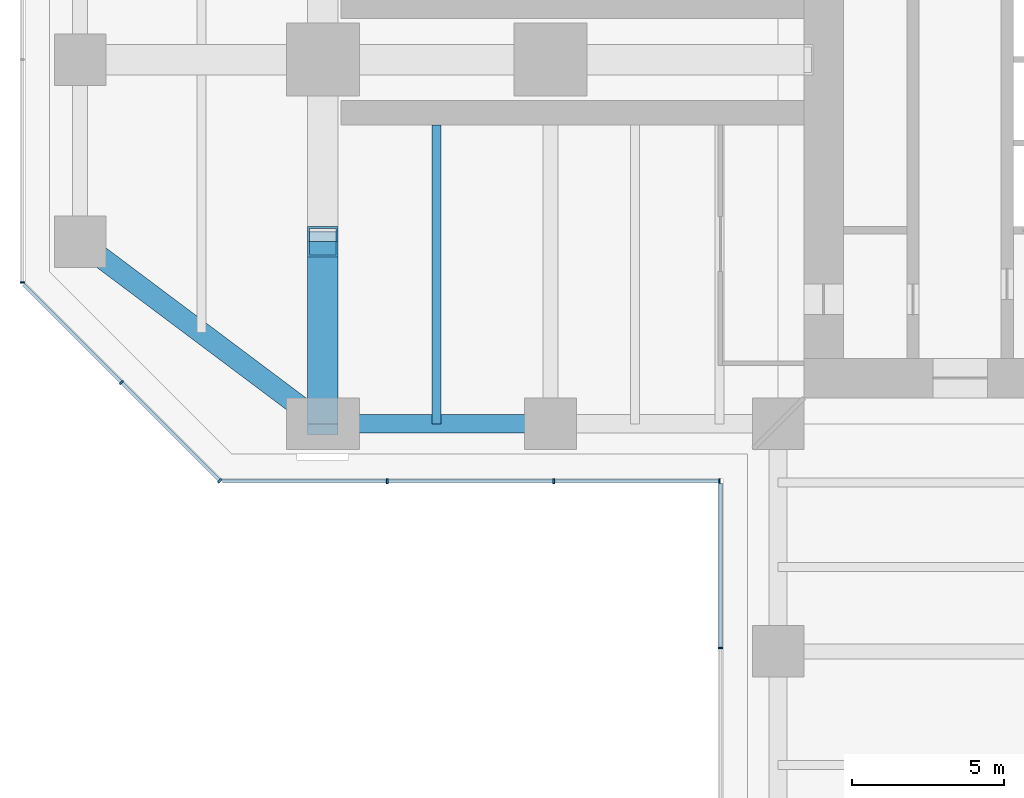
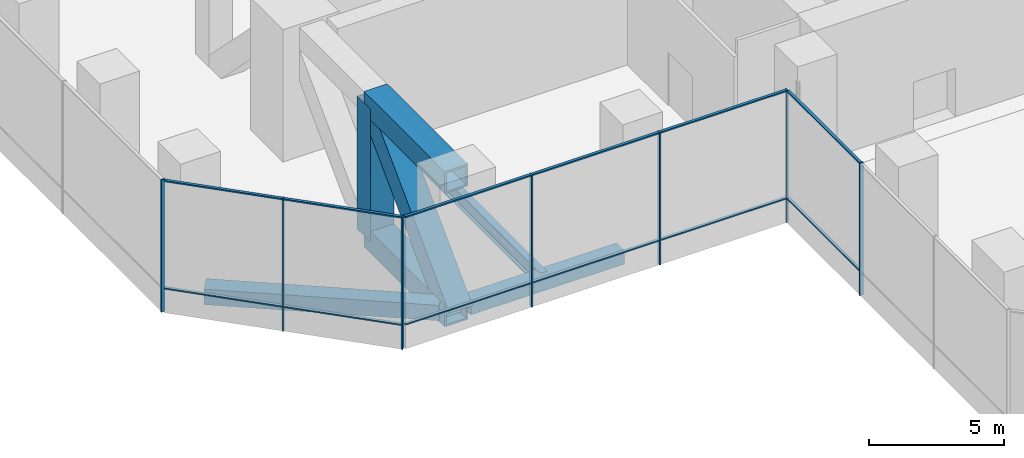
# One storey, part 3 of 20: 23 members, 3 beams, 4 elements without a shape of their own.
"""IFC4 building model written with IfcOpenShell, lengths in metres."""

import ifcopenshell
import ifcopenshell.guid

model = None  # the IFC model being written
_history = None  # IfcOwnerHistory: only IFC2X3 demands one
_inside = {}  # id of a spatial element -> (the spatial element, [elements in it])
_under = {}  # id of a project, library or spatial element -> (it, [spatial elements below it])
_declared = {}  # id of a project -> (the project, [libraries it declares])
_typed = {}  # id of a type object -> (the type object, [elements of that type])
_made_of = {}  # id of a material, layer set ... -> (it, [elements and type objects made of it])


def new_model(schema):
    """Start an empty IFC model of exactly this schema.

    Asked for "IFC4X3", IfcOpenShell would pick the latest addendum, in which some entities
    have other attributes; the version numbers below select the first issue.
    IFC2X3 requires an IfcOwnerHistory on every rooted entity: one is made here for all.
    """
    global model, _history
    if schema == "IFC4X3":
        model = ifcopenshell.file(schema_version=(4, 3, 0, 0))
    else:
        model = ifcopenshell.file(schema=schema)
    _inside.clear()
    _under.clear()
    _declared.clear()
    _typed.clear()
    _made_of.clear()
    _history = None
    if model.schema == "IFC2X3":
        org = make("IfcOrganization", Name="unknown")
        user = make(
            "IfcPersonAndOrganization",
            ThePerson=make("IfcPerson", FamilyName="unknown"),
            TheOrganization=org,
        )
        app = make(
            "IfcApplication",
            ApplicationDeveloper=org,
            Version="unknown",
            ApplicationFullName="unknown",
            ApplicationIdentifier="unknown",
        )
        _history = make(
            "IfcOwnerHistory",
            OwningUser=user,
            OwningApplication=app,
            ChangeAction="ADDED",
            CreationDate=0,
        )
    return model


def make(cls, **values):
    """One entity of the class cls with the attributes given. An attribute that is None is left unset."""
    return model.create_entity(
        cls, **{name: value for name, value in values.items() if value is not None}
    )


def rooted(cls, **values):
    """An entity with a GlobalId (a new one), such as an element, a storey or a relation."""
    return make(cls, GlobalId=ifcopenshell.guid.new(), OwnerHistory=_history, **values)


def si_unit(unit_type, name, prefix=None):
    """IfcSIUnit, for example si_unit("LENGTHUNIT", "METRE", prefix="MILLI")."""
    return make("IfcSIUnit", UnitType=unit_type, Prefix=prefix, Name=name)


def assignment(units):
    """IfcUnitAssignment: the units of a project."""
    return None if units is None else make("IfcUnitAssignment", Units=units)


def point(xyz):
    """IfcCartesianPoint."""
    return None if xyz is None else make("IfcCartesianPoint", Coordinates=xyz)


def direction(xyz):
    """IfcDirection."""
    return None if xyz is None else make("IfcDirection", DirectionRatios=xyz)


def frame(location, z_axis=None, x_axis=None):
    """IfcAxis2Placement3D, a coordinate frame: its origin and axes. An axis left out is left unset."""
    return make(
        "IfcAxis2Placement3D",
        Location=point(location),
        Axis=direction(z_axis),
        RefDirection=direction(x_axis),
    )


def frame_2d(location, x_axis=None):
    """IfcAxis2Placement2D, a coordinate frame in the plane: its origin and x axis."""
    return make(
        "IfcAxis2Placement2D", Location=point(location), RefDirection=direction(x_axis)
    )


def origin():
    """The frame at (0, 0, 0) with its axes left unset."""
    return frame((0.0, 0.0, 0.0))


def origin_2d():
    """The frame at (0, 0) in the plane with its x axis left unset."""
    return frame_2d((0.0, 0.0))


def place(relative_to, where):
    """IfcLocalPlacement: puts the frame where relative to a parent placement (None: the world)."""
    return make(
        "IfcLocalPlacement", PlacementRelTo=relative_to, RelativePlacement=where
    )


def context(
    kind, dimensions, precision=None, world=None, true_north=None, identifier=None
):
    """IfcGeometricRepresentationContext, for example the 3D "Model" context."""
    return make(
        "IfcGeometricRepresentationContext",
        ContextIdentifier=identifier,
        ContextType=kind,
        CoordinateSpaceDimension=dimensions,
        Precision=precision,
        WorldCoordinateSystem=world,
        TrueNorth=true_north,
    )


def subcontext(parent, identifier, kind, view, scale=None):
    """IfcGeometricRepresentationSubContext, for example "Body" below "Model"."""
    return make(
        "IfcGeometricRepresentationSubContext",
        ContextIdentifier=identifier,
        ContextType=kind,
        ParentContext=parent,
        TargetScale=scale,
        TargetView=view,
    )


def project(units=None, contexts=None):
    """IfcProject with its units and contexts."""
    return rooted(
        "IfcProject",
        Name="project",
        RepresentationContexts=contexts,
        UnitsInContext=assignment(units),
    )


def spatial(cls, under=None, at=None, **own):
    """A site, building, storey or space (cls), placed at a placement, below another one or the project."""
    s = rooted(cls, ObjectPlacement=at, **own)
    if under is not None:
        _under.setdefault(under.id(), (under, []))[1].append(s)
    return s


def profile(cls, at=None, kind="AREA", **sizes):
    """A parametric profile (cls). Its sizes go by their IFC names, for example OverallWidth=200.0."""
    return make(cls, ProfileType=kind, Position=at, **sizes)


def rectangle(**sizes):
    """IfcRectangleProfileDef."""
    return profile("IfcRectangleProfileDef", **sizes)


def hollow_rectangle(**sizes):
    """IfcRectangleHollowProfileDef."""
    return profile("IfcRectangleHollowProfileDef", **sizes)


def i_section(**sizes):
    """IfcIShapeProfileDef."""
    return profile("IfcIShapeProfileDef", **sizes)


def extrude(swept, where, along, depth):
    """IfcExtrudedAreaSolid: the profile swept, set in the frame where, extruded along a direction by depth."""
    return make(
        "IfcExtrudedAreaSolid",
        SweptArea=swept,
        Position=where,
        ExtrudedDirection=direction(along),
        Depth=depth,
    )


def shape(context_of_items, identifier, shape_type, items):
    """IfcShapeRepresentation: the items that make up one representation, for example the "Body"."""
    return make(
        "IfcShapeRepresentation",
        ContextOfItems=context_of_items,
        RepresentationIdentifier=identifier,
        RepresentationType=shape_type,
        Items=items,
    )


def material(Name=None, Category=None):
    """IfcMaterial."""
    return make("IfcMaterial", Name=Name, Category=Category)


def material_profile(
    of_material, cross_section, Name=None, Category=None, Priority=None
):
    """IfcMaterialProfile: a cross section and its material."""
    return make(
        "IfcMaterialProfile",
        Name=Name,
        Material=of_material,
        Profile=cross_section,
        Priority=Priority,
        Category=Category,
    )


def profile_set(profiles, Name=None, composite=None):
    """IfcMaterialProfileSet."""
    return make(
        "IfcMaterialProfileSet",
        Name=Name,
        MaterialProfiles=profiles,
        CompositeProfile=composite,
    )


def made_of(thing, what):
    """Note that an element or type object is made of a material, layer set ...; save() writes the relation."""
    if what is not None:
        _made_of.setdefault(what.id(), (what, []))[1].append(thing)
    return thing


def type_object(cls, material=None, **own):
    """A type object (cls), such as IfcWallType, which elements share."""
    return made_of(rooted(cls, **own), material)


def element(
    cls,
    number,
    at=None,
    inside=None,
    cuts=None,
    type_object=None,
    material=None,
    context=None,
    identifier="Body",
    shape_type=None,
    held_by="IfcProductDefinitionShape",
    body=None,
    shapes=None,
    **own,
):
    """One element of the class cls, such as IfcWall. Its Tag is "e" and its number.

    at: its placement. inside: the storey or other place that contains it. cuts: it is an
    opening in that element (IfcRelVoidsElement). A single representation is given by context,
    identifier, shape_type and body (its items); several are given by shapes. held_by: the class
    of the entity that holds the representations. save() writes the other relations.
    """
    e = rooted(cls, Tag="e%d" % number, ObjectPlacement=at, **own)
    if body is not None:
        shapes = [shape(context, identifier, shape_type, body)]
    if shapes is not None:
        e.Representation = make(held_by, Representations=shapes)
    if inside is not None:
        _inside.setdefault(inside.id(), (inside, []))[1].append(e)
    if cuts is not None:
        rooted(
            "IfcRelVoidsElement", RelatingBuildingElement=cuts, RelatedOpeningElement=e
        )
    if type_object is not None:
        _typed.setdefault(type_object.id(), (type_object, []))[1].append(e)
    return made_of(e, material)


def aggregate(whole, parts):
    """IfcRelAggregates: a whole, such as a stair, and the parts it consists of."""
    return rooted("IfcRelAggregates", RelatingObject=whole, RelatedObjects=parts)


def save(model, path):
    """Write the relations noted so far, then the file.

    IfcRelAggregates (storeys below a building ...), IfcRelContainedInSpatialStructure (elements
    in a storey), IfcRelDefinesByType, IfcRelAssociatesMaterial and IfcRelDeclares: one each for
    every whole, place, type object, material and project.
    """
    for whole, parts in _under.values():
        aggregate(whole, parts)
    for where, things in _inside.values():
        rooted(
            "IfcRelContainedInSpatialStructure",
            RelatedElements=things,
            RelatingStructure=where,
        )
    for kind, things in _typed.values():
        rooted("IfcRelDefinesByType", RelatedObjects=things, RelatingType=kind)
    for what, things in _made_of.values():
        rooted("IfcRelAssociatesMaterial", RelatedObjects=things, RelatingMaterial=what)
    for by, libraries in _declared.values():
        rooted("IfcRelDeclares", RelatingContext=by, RelatedDefinitions=libraries)
    model.write(path)


model = new_model("IFC4")

# Units and contexts
model_context = context("Model", 3, precision=1e-05, world=origin(), true_north=direction((0.0, 1.0)))
body_context = subcontext(model_context, "Body", "Model", "MODEL_VIEW")
ifc_project = project(units=[si_unit("LENGTHUNIT", "METRE"), si_unit("AREAUNIT", "SQUARE_METRE"), si_unit("VOLUMEUNIT", "CUBIC_METRE"), si_unit("PLANEANGLEUNIT", "RADIAN"), si_unit("MASSUNIT", "GRAM", prefix="KILO")], contexts=[model_context])

# Site, building, storey
site_placement = place(None, origin())
site = spatial("IfcSite", under=ifc_project, at=site_placement, CompositionType="ELEMENT")
building_placement = place(site_placement, origin())
building = spatial("IfcBuilding", under=site, at=building_placement, Name="Mizan Broadcast Tower", CompositionType="ELEMENT")
storey_placement = place(building_placement, frame((0.0, 0.0, 118.199951171875)))
storey = spatial("IfcBuildingStorey", under=building, at=storey_placement, Name="L26", CompositionType="ELEMENT", Elevation=118.199951171875)

# Members
ifc_material_1 = material(Name="Steel S460", Category="steel")
ifc_material_profile_1 = material_profile(ifc_material_1, hollow_rectangle(XDim=1.0, YDim=1.0, WallThickness=0.080078125, at=origin_2d()), Name="BOX 1000x1000x80")
ifc_profile_set_1 = profile_set([ifc_material_profile_1], Name="Steel S460")
member_type_1 = type_object("IfcMemberType", Name="BELT TRUSS BT2 CHORD BOX 1000x1000x80", PredefinedType="CHORD", material=ifc_profile_set_1)
for number, where, z_axis, x_axis, name in (
    (1, (-27.0, -6.0, -0.679931640625), (0.0, -1.0, 0.0), (1.0, 0.0, 0.0), "Belt truss BT2-W27 bottom chord 4"),
    (2, (-27.0, -6.0, 5.3701171875), (0.0, -1.0, 0.0), (1.0, 0.0, 0.0), "Belt truss BT2-W27 top chord 4"),
):
    element("IfcMember", number, at=place(storey_placement, frame(where, z_axis=z_axis, x_axis=x_axis)), inside=storey, type_object=member_type_1, Name=name, PredefinedType="CHORD", context=body_context, shape_type="SweptSolid", body=[
        extrude(hollow_rectangle(XDim=1.0, YDim=1.0, WallThickness=0.080078125, at=origin_2d()), origin(), (0.0, 0.0, 1.0), 6.0),
    ])
ifc_material_2 = material(Name="Steel S460", Category="steel")
ifc_material_profile_2 = material_profile(ifc_material_2, hollow_rectangle(XDim=1.0, YDim=1.0, WallThickness=0.06005859375, at=origin_2d()), Name="BOX 1000x1000x60")
ifc_profile_set_2 = profile_set([ifc_material_profile_2], Name="Steel S460")
member_type_2 = type_object("IfcMemberType", Name="BELT TRUSS BT2 DIAGONAL BOX 1000x1000x60", PredefinedType="BRACE", material=ifc_profile_set_2)
member_1_placement = place(storey_placement, frame((-27.0, -12.0, -0.679931640625), z_axis=(0.0, 0.704163801085, 0.710037563261), x_axis=(-1.0, 0.0, 0.0)))
element("IfcMember", 3, at=member_1_placement, inside=storey, type_object=member_type_2, Name="Belt truss BT2-W27 diagonal 4", PredefinedType="BRACE", context=body_context, shape_type="SweptSolid", body=[
    extrude(hollow_rectangle(XDim=1.0, YDim=1.0, WallThickness=0.06005859375, at=origin_2d()), origin(), (0.0, 0.0, 1.0), 8.520751953125),
])
ifc_material_3 = material(Name="Steel S460", Category="steel")
ifc_material_profile_3 = material_profile(ifc_material_3, hollow_rectangle(XDim=1.0, YDim=1.0, WallThickness=0.06005859375, at=origin_2d()), Name="BOX 1000x1000x60")
ifc_profile_set_3 = profile_set([ifc_material_profile_3], Name="Steel S460")
member_type_3 = type_object("IfcMemberType", Name="BELT TRUSS BT2 POST BOX 1000x1000x60", PredefinedType="POST", material=ifc_profile_set_3)
member_2_placement = place(storey_placement, frame((-27.0, -6.0, -0.679931640625), z_axis=(0.0, 0.0, 1.0), x_axis=(1.0, 0.0, 0.0)))
element("IfcMember", 4, at=member_2_placement, inside=storey, type_object=member_type_3, Name="Belt truss BT2-W27 post 3", PredefinedType="POST", context=body_context, shape_type="SweptSolid", body=[
    extrude(hollow_rectangle(XDim=1.0, YDim=1.0, WallThickness=0.06005859375, at=origin_2d()), origin(), (0.0, 0.0, 1.0), 6.050048828125),
])

# Beams
ifc_material_4 = material(Name="Steel S355", Category="steel")
ifc_material_profile_4 = material_profile(ifc_material_4, hollow_rectangle(XDim=0.60009765625, YDim=0.60009765625, WallThickness=0.0400390625, at=origin_2d()), Name="BOX 600x600x40")
ifc_profile_set_4 = profile_set([ifc_material_profile_4], Name="Steel S355")
beam_type_1 = type_object("IfcBeamType", Name="EDGE BEAM BOX 600x600x40", PredefinedType="SPANDREL", material=ifc_profile_set_4)
beam_1_placement = place(storey_placement, frame((-19.949951171875, -12.0, -0.47998046875), z_axis=(-1.0, 0.0, 0.0), x_axis=(0.0, -1.0, 0.0)))
element("IfcBeam", 5, at=beam_1_placement, inside=storey, type_object=beam_type_1, Name="Edge beam BOX 600x600x40 L26 west arm", PredefinedType="SPANDREL", context=body_context, shape_type="SweptSolid", body=[
    extrude(hollow_rectangle(XDim=0.60009765625, YDim=0.60009765625, WallThickness=0.0400390625, at=origin_2d()), origin(), (0.0, 0.0, 1.0), 6.60009765625),
])
ifc_material_5 = material(Name="Steel S355", Category="steel")
ifc_material_profile_5 = material_profile(ifc_material_5, hollow_rectangle(XDim=0.699951171875, YDim=0.699951171875, WallThickness=0.0400390625, at=origin_2d()), Name="BOX 700x700x40")
ifc_profile_set_5 = profile_set([ifc_material_profile_5], Name="Steel S355")
beam_type_2 = type_object("IfcBeamType", Name="EDGE BEAM BOX 700x700x40", PredefinedType="SPANDREL", material=ifc_profile_set_5)
beam_2_placement = place(storey_placement, frame((-27.47998046875, -11.639892578125, -0.530029296875), z_axis=(-0.800013316712, 0.599982243973, 0.0), x_axis=(-0.599982243973, -0.800013316712, 0.0)))
element("IfcBeam", 6, at=beam_2_placement, inside=storey, type_object=beam_type_2, Name="Edge beam BOX 700x700x40 L26 west arm", PredefinedType="SPANDREL", context=body_context, shape_type="SweptSolid", body=[
    extrude(hollow_rectangle(XDim=0.699951171875, YDim=0.699951171875, WallThickness=0.0400390625, at=origin_2d()), origin(), (0.0, 0.0, 1.0), 8.7998046875),
])

# Curtain wall, member
ifc_material_6 = material(Name="Aluminium framed glazing", Category="aluminium")
curtain_wall_type = type_object("IfcCurtainWallType", Name="PLANT LOUVRE", PredefinedType="USERDEFINED", material=ifc_material_6)
curtain_wall_1_placement = place(storey_placement, origin())
curtain_wall_1 = element("IfcCurtainWall", 7, at=curtain_wall_1_placement, inside=storey, type_object=curtain_wall_type, Name="Plant louvre L26 W end", ObjectType="PLANT LOUVRE", PredefinedType="USERDEFINED")
ifc_material_7 = material(Name="Aluminium, pale anodised", Category="aluminium")
ifc_material_profile_6 = material_profile(ifc_material_7, rectangle(XDim=0.159912109375, YDim=0.06005859375, at=origin_2d()), Name="MULLION 160x60")
ifc_profile_set_6 = profile_set([ifc_material_profile_6], Name="Aluminium, pale anodised")
member_type_4 = type_object("IfcMemberType", Name="INNER SKIN MULLION 60x160", PredefinedType="MULLION", material=ifc_profile_set_6)
member_3_placement = place(storey_placement, frame((-36.89990234375, -7.3427734375, 0.0), z_axis=(0.0, 0.0, 1.0), x_axis=(1.0, 0.0, 0.0)))
member_3 = element("IfcMember", 8, at=member_3_placement, type_object=member_type_4, Name="Plant louvre L26 W end mullion 3", PredefinedType="MULLION", context=body_context, shape_type="SweptSolid", body=[
    extrude(rectangle(XDim=0.159912109375, YDim=0.06005859375, at=origin_2d()), origin(), (0.0, 0.0, 1.0), 6.0),
])
aggregate(curtain_wall_1, [member_3])

# Curtain wall, members
curtain_wall_2_placement = place(storey_placement, origin())
curtain_wall_2 = element("IfcCurtainWall", 9, at=curtain_wall_2_placement, inside=storey, type_object=curtain_wall_type, Name="Plant louvre L26 W chamfer", ObjectType="PLANT LOUVRE", PredefinedType="USERDEFINED")
member_4_placement = place(storey_placement, frame((-33.636474609375, -10.636474609375, 0.0), z_axis=(0.0, 0.0, 1.0), x_axis=(0.707106781187, 0.707106781187, 0.0)))
member_4 = element("IfcMember", 10, at=member_4_placement, type_object=member_type_4, Name="Plant louvre L26 W chamfer mullion 2", PredefinedType="MULLION", context=body_context, shape_type="SweptSolid", body=[
    extrude(rectangle(XDim=0.159912109375, YDim=0.06005859375, at=origin_2d()), origin(), (0.0, 0.0, 1.0), 6.0),
])
member_5_placement = place(storey_placement, frame((-30.39404296875, -13.87890625, 0.0), z_axis=(0.0, 0.0, 1.0), x_axis=(0.707106781187, 0.707106781187, 0.0)))
member_5 = element("IfcMember", 11, at=member_5_placement, type_object=member_type_4, Name="Plant louvre L26 W chamfer mullion 3", PredefinedType="MULLION", context=body_context, shape_type="SweptSolid", body=[
    extrude(rectangle(XDim=0.159912109375, YDim=0.06005859375, at=origin_2d()), origin(), (0.0, 0.0, 1.0), 6.0),
])

curtain_wall_3_placement = place(storey_placement, origin())
curtain_wall_3 = element("IfcCurtainWall", 12, at=curtain_wall_3_placement, inside=storey, type_object=curtain_wall_type, Name="Plant louvre L26 W side", ObjectType="PLANT LOUVRE", PredefinedType="USERDEFINED")
member_6_placement = place(storey_placement, frame((-24.8818359375, -13.89990234375, 0.0), z_axis=(0.0, 0.0, 1.0), x_axis=(0.0, 1.0, 0.0)))
member_6 = element("IfcMember", 13, at=member_6_placement, type_object=member_type_4, Name="Plant louvre L26 W side mullion 2", PredefinedType="MULLION", context=body_context, shape_type="SweptSolid", body=[
    extrude(rectangle(XDim=0.159912109375, YDim=0.06005859375, at=origin_2d()), origin(), (0.0, 0.0, 1.0), 6.0),
])
member_7_placement = place(storey_placement, frame((-19.390869140625, -13.89990234375, 0.0), z_axis=(0.0, 0.0, 1.0), x_axis=(0.0, 1.0, 0.0)))
member_7 = element("IfcMember", 14, at=member_7_placement, type_object=member_type_4, Name="Plant louvre L26 W side mullion 3", PredefinedType="MULLION", context=body_context, shape_type="SweptSolid", body=[
    extrude(rectangle(XDim=0.159912109375, YDim=0.06005859375, at=origin_2d()), origin(), (0.0, 0.0, 1.0), 6.0),
])
member_8_placement = place(storey_placement, frame((-13.929931640625, -13.89990234375, 0.0), z_axis=(0.0, 0.0, 1.0), x_axis=(0.0, 1.0, 0.0)))
member_8 = element("IfcMember", 15, at=member_8_placement, type_object=member_type_4, Name="Plant louvre L26 W side mullion 4", PredefinedType="MULLION", context=body_context, shape_type="SweptSolid", body=[
    extrude(rectangle(XDim=0.159912109375, YDim=0.06005859375, at=origin_2d()), origin(), (0.0, 0.0, 1.0), 6.0),
])

# Curtain wall, member
curtain_wall_4_placement = place(storey_placement, origin())
curtain_wall_4 = element("IfcCurtainWall", 16, at=curtain_wall_4_placement, inside=storey, type_object=curtain_wall_type, Name="Plant louvre L26 S side", ObjectType="PLANT LOUVRE", PredefinedType="USERDEFINED")
member_9_placement = place(storey_placement, frame((-13.89990234375, -19.390869140625, 0.0), z_axis=(0.0, 0.0, 1.0), x_axis=(1.0, 0.0, 0.0)))
member_9 = element("IfcMember", 17, at=member_9_placement, type_object=member_type_4, Name="Plant louvre L26 S side mullion 2", PredefinedType="MULLION", context=body_context, shape_type="SweptSolid", body=[
    extrude(rectangle(XDim=0.159912109375, YDim=0.06005859375, at=origin_2d()), origin(), (0.0, 0.0, 1.0), 6.0),
])

# Member
ifc_material_8 = material(Name="Aluminium, pale anodised", Category="aluminium")
ifc_material_profile_7 = material_profile(ifc_material_8, rectangle(XDim=0.1201171875, YDim=0.06005859375, at=origin_2d()), Name="TRANSOM 120x60")
ifc_profile_set_7 = profile_set([ifc_material_profile_7], Name="Aluminium, pale anodised")
member_type_5 = type_object("IfcMemberType", Name="INNER SKIN TRANSOM 60x120", PredefinedType="USERDEFINED", material=ifc_profile_set_7)
member_10_placement = place(storey_placement, frame((-36.857666015625, -7.415283203125, 1.10009765625), z_axis=(0.707106781187, -0.707106781187, 0.0), x_axis=(0.707106781187, 0.707106781187, 0.0)))
member_10 = element("IfcMember", 18, at=member_10_placement, type_object=member_type_5, Name="Plant louvre L26 W chamfer transom 1.1", ObjectType="TRANSOM", PredefinedType="USERDEFINED", context=body_context, shape_type="SweptSolid", body=[
    extrude(rectangle(XDim=0.1201171875, YDim=0.06005859375, at=origin_2d()), origin(), (0.0, 0.0, 1.0), 4.525390625),
])

member_11_placement = place(storey_placement, frame((-36.857666015625, -7.415283203125, 5.969970703125), z_axis=(0.707106781187, -0.707106781187, 0.0), x_axis=(0.707106781187, 0.707106781187, 0.0)))
member_11 = element("IfcMember", 19, at=member_11_placement, type_object=member_type_5, Name="Plant louvre L26 W chamfer transom 1.2", ObjectType="TRANSOM", PredefinedType="USERDEFINED", context=body_context, shape_type="SweptSolid", body=[
    extrude(rectangle(XDim=0.1201171875, YDim=0.06005859375, at=origin_2d()), origin(), (0.0, 0.0, 1.0), 4.525390625),
])

member_12_placement = place(storey_placement, frame((-33.615234375, -10.65771484375, 1.10009765625), z_axis=(0.707106781187, -0.707106781187, 0.0), x_axis=(0.707106781187, 0.707106781187, 0.0)))
member_12 = element("IfcMember", 20, at=member_12_placement, type_object=member_type_5, Name="Plant louvre L26 W chamfer transom 2.1", ObjectType="TRANSOM", PredefinedType="USERDEFINED", context=body_context, shape_type="SweptSolid", body=[
    extrude(rectangle(XDim=0.1201171875, YDim=0.06005859375, at=origin_2d()), origin(), (0.0, 0.0, 1.0), 4.525390625),
])

member_13_placement = place(storey_placement, frame((-33.615234375, -10.65771484375, 5.969970703125), z_axis=(0.707106781187, -0.707106781187, 0.0), x_axis=(0.707106781187, 0.707106781187, 0.0)))
member_13 = element("IfcMember", 21, at=member_13_placement, type_object=member_type_5, Name="Plant louvre L26 W chamfer transom 2.2", ObjectType="TRANSOM", PredefinedType="USERDEFINED", context=body_context, shape_type="SweptSolid", body=[
    extrude(rectangle(XDim=0.1201171875, YDim=0.06005859375, at=origin_2d()), origin(), (0.0, 0.0, 1.0), 4.525390625),
])

aggregate(curtain_wall_2, [member_4, member_5, member_10, member_11, member_12, member_13])

member_14_placement = place(storey_placement, frame((-30.312744140625, -13.89990234375, 1.10009765625), z_axis=(1.0, 0.0, 0.0), x_axis=(0.0, 1.0, 0.0)))
member_14 = element("IfcMember", 22, at=member_14_placement, type_object=member_type_5, Name="Plant louvre L26 W side transom 1.1", ObjectType="TRANSOM", PredefinedType="USERDEFINED", context=body_context, shape_type="SweptSolid", body=[
    extrude(rectangle(XDim=0.1201171875, YDim=0.06005859375, at=origin_2d()), origin(), (0.0, 0.0, 1.0), 5.40087890625),
])

member_15_placement = place(storey_placement, frame((-30.312744140625, -13.89990234375, 5.969970703125), z_axis=(1.0, 0.0, 0.0), x_axis=(0.0, 1.0, 0.0)))
member_15 = element("IfcMember", 23, at=member_15_placement, type_object=member_type_5, Name="Plant louvre L26 W side transom 1.2", ObjectType="TRANSOM", PredefinedType="USERDEFINED", context=body_context, shape_type="SweptSolid", body=[
    extrude(rectangle(XDim=0.1201171875, YDim=0.06005859375, at=origin_2d()), origin(), (0.0, 0.0, 1.0), 5.40087890625),
])

member_16_placement = place(storey_placement, frame((-24.851806640625, -13.89990234375, 1.10009765625), z_axis=(1.0, 0.0, 0.0), x_axis=(0.0, 1.0, 0.0)))
member_16 = element("IfcMember", 24, at=member_16_placement, type_object=member_type_5, Name="Plant louvre L26 W side transom 2.1", ObjectType="TRANSOM", PredefinedType="USERDEFINED", context=body_context, shape_type="SweptSolid", body=[
    extrude(rectangle(XDim=0.1201171875, YDim=0.06005859375, at=origin_2d()), origin(), (0.0, 0.0, 1.0), 5.430908203125),
])

member_17_placement = place(storey_placement, frame((-24.851806640625, -13.89990234375, 5.969970703125), z_axis=(1.0, 0.0, 0.0), x_axis=(0.0, 1.0, 0.0)))
member_17 = element("IfcMember", 25, at=member_17_placement, type_object=member_type_5, Name="Plant louvre L26 W side transom 2.2", ObjectType="TRANSOM", PredefinedType="USERDEFINED", context=body_context, shape_type="SweptSolid", body=[
    extrude(rectangle(XDim=0.1201171875, YDim=0.06005859375, at=origin_2d()), origin(), (0.0, 0.0, 1.0), 5.430908203125),
])

member_18_placement = place(storey_placement, frame((-19.36083984375, -13.89990234375, 1.10009765625), z_axis=(1.0, 0.0, 0.0), x_axis=(0.0, 1.0, 0.0)))
member_18 = element("IfcMember", 26, at=member_18_placement, type_object=member_type_5, Name="Plant louvre L26 W side transom 3.1", ObjectType="TRANSOM", PredefinedType="USERDEFINED", context=body_context, shape_type="SweptSolid", body=[
    extrude(rectangle(XDim=0.1201171875, YDim=0.06005859375, at=origin_2d()), origin(), (0.0, 0.0, 1.0), 5.40087890625),
])

member_19_placement = place(storey_placement, frame((-19.36083984375, -13.89990234375, 5.969970703125), z_axis=(1.0, 0.0, 0.0), x_axis=(0.0, 1.0, 0.0)))
member_19 = element("IfcMember", 27, at=member_19_placement, type_object=member_type_5, Name="Plant louvre L26 W side transom 3.2", ObjectType="TRANSOM", PredefinedType="USERDEFINED", context=body_context, shape_type="SweptSolid", body=[
    extrude(rectangle(XDim=0.1201171875, YDim=0.06005859375, at=origin_2d()), origin(), (0.0, 0.0, 1.0), 5.40087890625),
])

aggregate(curtain_wall_3, [member_6, member_7, member_8, member_14, member_15, member_16, member_17, member_18, member_19])

member_20_placement = place(storey_placement, frame((-13.89990234375, -13.9599609375, 1.10009765625), z_axis=(0.0, -1.0, 0.0), x_axis=(1.0, 0.0, 0.0)))
member_20 = element("IfcMember", 28, at=member_20_placement, type_object=member_type_5, Name="Plant louvre L26 S side transom 1.1", ObjectType="TRANSOM", PredefinedType="USERDEFINED", context=body_context, shape_type="SweptSolid", body=[
    extrude(rectangle(XDim=0.1201171875, YDim=0.06005859375, at=origin_2d()), origin(), (0.0, 0.0, 1.0), 5.40087890625),
])

member_21_placement = place(storey_placement, frame((-13.89990234375, -13.9599609375, 5.969970703125), z_axis=(0.0, -1.0, 0.0), x_axis=(1.0, 0.0, 0.0)))
member_21 = element("IfcMember", 29, at=member_21_placement, type_object=member_type_5, Name="Plant louvre L26 S side transom 1.2", ObjectType="TRANSOM", PredefinedType="USERDEFINED", context=body_context, shape_type="SweptSolid", body=[
    extrude(rectangle(XDim=0.1201171875, YDim=0.06005859375, at=origin_2d()), origin(), (0.0, 0.0, 1.0), 5.40087890625),
])

aggregate(curtain_wall_4, [member_9, member_20, member_21])

# Beam
ifc_material_9 = material(Name="Steel S355", Category="steel")
ifc_material_profile_8 = material_profile(ifc_material_9, i_section(OverallWidth=0.300048828125, OverallDepth=0.68994140625, WebThickness=0.014404296875, FlangeThickness=0.027099609375, FilletRadius=0.027099609375, at=origin_2d()), Name="HEA 700")
ifc_profile_set_8 = profile_set([ifc_material_profile_8], Name="Steel S355")
beam_type_3 = type_object("IfcBeamType", Name="SECONDARY BEAM HEA 700", PredefinedType="JOIST", material=ifc_profile_set_8)
beam_3_placement = place(storey_placement, frame((-23.25, -12.0, -0.52490234375), z_axis=(0.0, 1.0, 0.0), x_axis=(-1.0, 0.0, 0.0)))
element("IfcBeam", 30, at=beam_3_placement, inside=storey, type_object=beam_type_3, Name="Secondary beam HEA 700 L26 west arm", PredefinedType="JOIST", context=body_context, shape_type="SweptSolid", body=[
    extrude(i_section(OverallWidth=0.300048828125, OverallDepth=0.68994140625, WebThickness=0.014404296875, FlangeThickness=0.027099609375, FilletRadius=0.027099609375, at=origin_2d()), origin(), (0.0, 0.0, 1.0), 9.85009765625),
])

save(model, "model.ifc")
